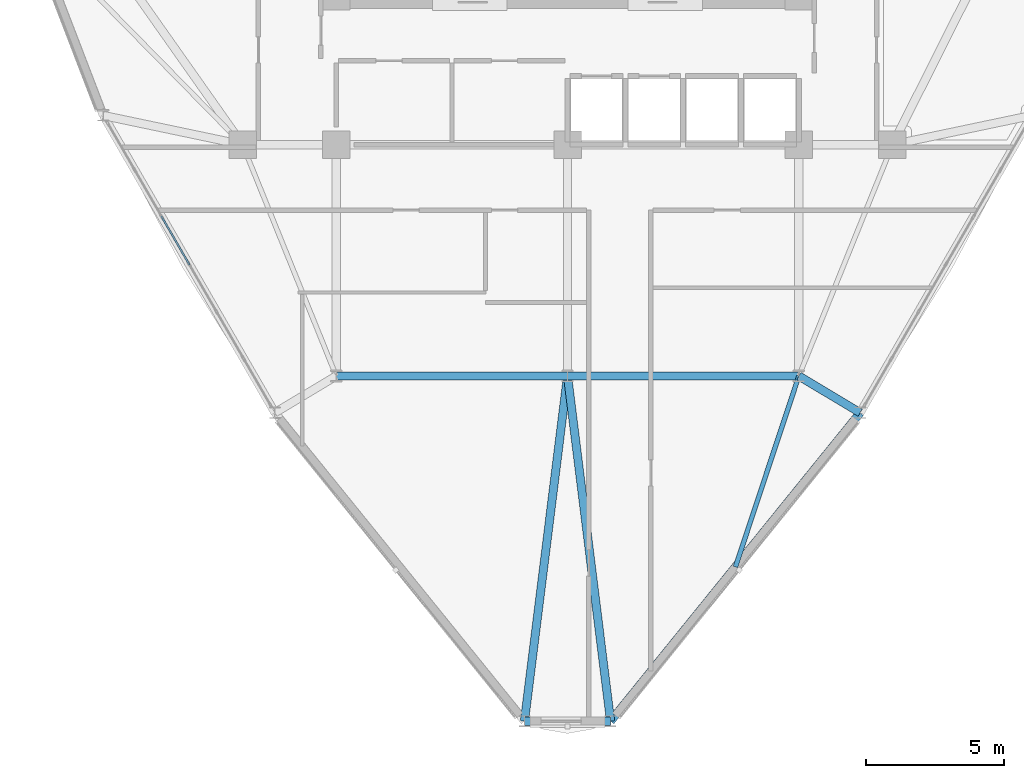
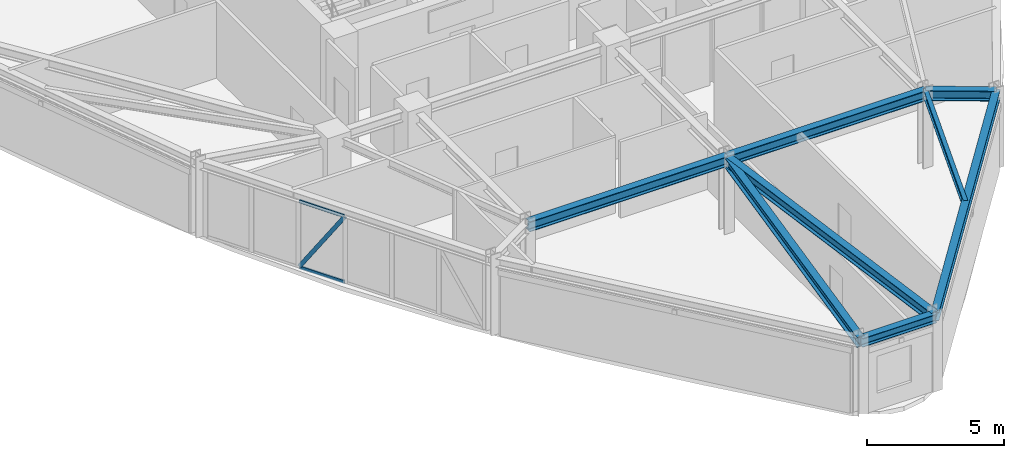
# One storey, part 3 of 14: 8 beams, 3 members, 1 element without a shape of its own.
"""IFC4 building model written with IfcOpenShell, lengths in metres."""

from ifc_helpers import new_model, si_unit, derived_unit, direction, frame, origin, origin_2d, place, context, subcontext, project, spatial, hollow_rectangle, i_section, extrude, source, transform, mapped, material, layer, layer_set, material_profile, profile_set, type_object, element, aggregate, save


model = new_model("IFC4")

# Units and contexts
model_context = context("Model", 3, precision=1e-05, world=origin(), true_north=direction((0.0, 1.0)))
body_context = subcontext(model_context, "Body", "Model", "MODEL_VIEW")
ifc_project = project(units=[si_unit("LENGTHUNIT", "METRE"), si_unit("AREAUNIT", "SQUARE_METRE"), si_unit("VOLUMEUNIT", "CUBIC_METRE"), si_unit("PLANEANGLEUNIT", "RADIAN"), si_unit("MASSUNIT", "GRAM", prefix="KILO"), derived_unit("THERMALTRANSMITTANCEUNIT", [(si_unit("POWERUNIT", "WATT"), 1), (si_unit("LENGTHUNIT", "METRE"), -2), (si_unit("THERMODYNAMICTEMPERATUREUNIT", "KELVIN"), -1)])], contexts=[model_context])

# Site, building, storey
site_placement = place(None, origin())
site = spatial("IfcSite", under=ifc_project, at=site_placement, CompositionType="ELEMENT")
building_placement = place(site_placement, origin())
building = spatial("IfcBuilding", under=site, at=building_placement, Name="Korsvarv Bourse and Concert Hall", CompositionType="ELEMENT")
storey_placement = place(building_placement, frame((0.0, 0.0, 193.800048828125)))
storey = spatial("IfcBuildingStorey", under=building, at=storey_placement, Name="L50", CompositionType="ELEMENT", Elevation=193.800048828125)

# Beams
ifc_material_1 = material(Name="Steel S355", Category="steel")
ifc_material_profile_1 = material_profile(ifc_material_1, i_section(OverallWidth=0.300048828125, OverallDepth=0.449951171875, WebThickness=0.013916015625, FlangeThickness=0.02587890625, FilletRadius=0.02099609375, at=origin_2d()), Name="HEB 450")
ifc_profile_set_1 = profile_set([ifc_material_profile_1], Name="Steel S355")
beam_type_1 = type_object("IfcBeamType", Name="BM-HEB450", PredefinedType="SPANDREL", material=ifc_profile_set_1)
shared_shape_1 = source(origin(), body_context, "Body", "SweptSolid", [
    extrude(i_section(OverallWidth=0.300048828125, OverallDepth=0.449951171875, WebThickness=0.013916015625, FlangeThickness=0.02587890625, FilletRadius=0.02099609375, at=origin_2d()), origin(), (0.0, 0.0, 1.0), 8.39990234375),
])
for number, where, z_axis, x_axis, name in (
    (1, (27.60009765625, 24.0, 3.175048828125), (1.0, 0.0, 0.0), (0.0, 1.0, 0.0), "L50 beam B-08"),
    (2, (36.0, 24.0, 3.175048828125), (1.0, 0.0, 0.0), (0.0, 1.0, 0.0), "L50 beam B-08"),
):
    element("IfcBeam", number, at=place(storey_placement, frame(where, z_axis=z_axis, x_axis=x_axis)), inside=storey, type_object=beam_type_1, Name=name, PredefinedType="SPANDREL", context=body_context, shape_type="MappedRepresentation", body=[
        mapped(shared_shape_1, transform((0.0, 0.0, 0.0), scale=1.0)),
    ])
ifc_material_profile_2 = material_profile(ifc_material_1, i_section(OverallWidth=0.300048828125, OverallDepth=0.389892578125, WebThickness=0.010986328125, FlangeThickness=0.01904296875, FilletRadius=0.02099609375, at=origin_2d()), Name="HEA 400")
ifc_profile_set_2 = profile_set([ifc_material_profile_2], Name="Steel S355")
beam_type_2 = type_object("IfcBeamType", Name="BM-HEA400", PredefinedType="BEAM", material=ifc_profile_set_2)
shared_shape_2 = source(origin(), body_context, "Body", "SweptSolid", [
    extrude(i_section(OverallWidth=0.300048828125, OverallDepth=0.389892578125, WebThickness=0.010986328125, FlangeThickness=0.01904296875, FilletRadius=0.02099609375, at=origin_2d()), origin(), (0.0, 0.0, 1.0), 3.12939453125),
])
beam_1_placement = place(storey_placement, frame((34.435302734375, 11.465087890625, 3.204833984375), z_axis=(1.0, 0.0, 0.0), x_axis=(0.0, 1.0, 0.0)))
element("IfcBeam", 3, at=beam_1_placement, inside=storey, type_object=beam_type_2, Name="L50 beam B-11", PredefinedType="BEAM", context=body_context, shape_type="MappedRepresentation", body=[
    mapped(shared_shape_2, transform((0.0, 0.0, 0.0), scale=1.0)),
])
shared_shape_3 = source(origin(), body_context, "Body", "SweptSolid", [
    extrude(i_section(OverallWidth=0.300048828125, OverallDepth=0.389892578125, WebThickness=0.010986328125, FlangeThickness=0.01904296875, FilletRadius=0.02099609375, at=origin_2d()), origin(), (0.0, 0.0, 1.0), 14.408935546875),
])
beam_2_placement = place(storey_placement, frame((37.564697265625, 11.465087890625, 3.204833984375), z_axis=(0.629063691989, 0.777353762081, 0.0), x_axis=(-0.777353762081, 0.629063691989, 0.0)))
element("IfcBeam", 4, at=beam_2_placement, inside=storey, type_object=beam_type_2, Name="L50 beam B-11", PredefinedType="BEAM", context=body_context, shape_type="MappedRepresentation", body=[
    mapped(shared_shape_3, transform((0.0, 0.0, 0.0), scale=1.0)),
])
shared_shape_4 = source(origin(), body_context, "Body", "SweptSolid", [
    extrude(i_section(OverallWidth=0.300048828125, OverallDepth=0.449951171875, WebThickness=0.013916015625, FlangeThickness=0.02587890625, FilletRadius=0.02099609375, at=origin_2d()), origin(), (0.0, 0.0, 1.0), 2.59765625),
])
beam_3_placement = place(storey_placement, frame((46.62890625, 22.666015625, 3.175048828125), z_axis=(-0.858072868624, 0.513527946787, 0.0), x_axis=(-0.513527946787, -0.858072868624, 0.0)))
element("IfcBeam", 5, at=beam_3_placement, inside=storey, type_object=beam_type_1, Name="L50 beam B-08", PredefinedType="SPANDREL", context=body_context, shape_type="MappedRepresentation", body=[
    mapped(shared_shape_4, transform((0.0, 0.0, 0.0), scale=1.0)),
])
shared_shape_5 = source(origin(), body_context, "Body", "SweptSolid", [
    extrude(i_section(OverallWidth=0.300048828125, OverallDepth=0.449951171875, WebThickness=0.013916015625, FlangeThickness=0.02587890625, FilletRadius=0.02099609375, at=origin_2d()), origin(), (0.0, 0.0, 1.0), 12.632080078125),
])
for number, where, z_axis, x_axis, name in (
    (6, (34.435302734375, 11.465087890625, 3.175048828125), (0.12386584577, 0.992298973219, 0.0), (-0.992298973219, 0.12386584577, 0.0), "L50 beam B-08"),
    (7, (37.564697265625, 11.465087890625, 3.175048828125), (-0.12386584577, 0.992298973219, 0.0), (-0.992298973219, -0.12386584577, 0.0), "L50 beam B-08"),
):
    element("IfcBeam", number, at=place(storey_placement, frame(where, z_axis=z_axis, x_axis=x_axis)), inside=storey, type_object=beam_type_1, Name=name, PredefinedType="SPANDREL", context=body_context, shape_type="MappedRepresentation", body=[
        mapped(shared_shape_5, transform((0.0, 0.0, 0.0), scale=1.0)),
    ])
ifc_material_profile_3 = material_profile(ifc_material_1, i_section(OverallWidth=0.169921875, OverallDepth=0.360107421875, WebThickness=0.008056640625, FlangeThickness=0.0126953125, FilletRadius=0.01806640625, at=origin_2d()), Name="IPE 360")
ifc_profile_set_3 = profile_set([ifc_material_profile_3], Name="Steel S355")
beam_type_3 = type_object("IfcBeamType", Name="BM-IPE360", PredefinedType="JOIST", material=ifc_profile_set_3)
shared_shape_6 = source(origin(), body_context, "Body", "SweptSolid", [
    extrude(i_section(OverallWidth=0.169921875, OverallDepth=0.360107421875, WebThickness=0.008056640625, FlangeThickness=0.0126953125, FilletRadius=0.01806640625, at=origin_2d()), origin(), (0.0, 0.0, 1.0), 7.306884765625),
])
beam_4_placement = place(storey_placement, frame((42.0966796875, 17.065673828125, 3.219970703125), z_axis=(0.315215181878, 0.949020225872, 0.0), x_axis=(-0.949020225872, 0.315215181878, 0.0)))
element("IfcBeam", 8, at=beam_4_placement, inside=storey, type_object=beam_type_3, Name="L50 beam J-06", PredefinedType="JOIST", context=body_context, shape_type="MappedRepresentation", body=[
    mapped(shared_shape_6, transform((0.0, 0.0, 0.0), scale=1.0)),
])

# Curtain wall, members
ifc_material_2 = material(Name="Anodised aluminium and triple low-E glazing", Category="glass")
ifc_layer = layer(ifc_material_2, 0.199951171875)
ifc_layer_set = layer_set([ifc_layer], Name="Anodised aluminium and triple low-E glazing")
curtain_wall_type = type_object("IfcCurtainWallType", Name="CW-SYS-3", PredefinedType="NOTDEFINED", material=ifc_layer_set)
curtain_wall_placement = place(storey_placement, origin())
curtain_wall = element("IfcCurtainWall", 9, at=curtain_wall_placement, inside=storey, type_object=curtain_wall_type, Name="L50 CW3 curtain wall CW-L50-F07", PredefinedType="NOTDEFINED")
ifc_material_3 = material(Name="Extruded aluminium EN AW-6063 T66", Category="aluminium")
ifc_material_profile_4 = material_profile(ifc_material_3, hollow_rectangle(XDim=0.06494140625, YDim=0.139892578125, WallThickness=0.00390625, at=origin_2d()), Name="ALU-T 65x140")
ifc_profile_set_4 = profile_set([ifc_material_profile_4], Name="Extruded aluminium EN AW-6063 T66")
member_type_1 = type_object("IfcMemberType", Name="CWT-140", PredefinedType="USERDEFINED", material=ifc_profile_set_4)
shared_shape_7 = source(origin(), body_context, "Body", "SweptSolid", [
    extrude(hollow_rectangle(XDim=0.06494140625, YDim=0.139892578125, WallThickness=0.00390625, at=origin_2d()), origin(), (0.0, 0.0, 1.0), 1.908203125),
])
member_1_placement = place(storey_placement, frame((21.282958984375, 29.7470703125, 0.032470703125), z_axis=(0.499991942392, -0.866030055796, 0.0), x_axis=(0.866030055796, 0.499991942392, 0.0)))
member_1 = element("IfcMember", 10, at=member_1_placement, type_object=member_type_1, Name="CW3 transom 3.1", ObjectType="TRANSOM", PredefinedType="USERDEFINED", context=body_context, shape_type="MappedRepresentation", body=[
    mapped(shared_shape_7, transform((0.0, 0.0, 0.0), scale=1.0)),
])
member_2_placement = place(storey_placement, frame((21.282958984375, 29.7470703125, 2.9775390625), z_axis=(0.499991942392, -0.866030055796, 0.0), x_axis=(0.866030055796, 0.499991942392, 0.0)))
member_2 = element("IfcMember", 11, at=member_2_placement, type_object=member_type_1, Name="CW3 transom 3.2", ObjectType="TRANSOM", PredefinedType="USERDEFINED", context=body_context, shape_type="MappedRepresentation", body=[
    mapped(shared_shape_7, transform((0.0, 0.0, 0.0), scale=1.0)),
])
ifc_material_profile_5 = material_profile(ifc_material_3, hollow_rectangle(XDim=0.06494140625, YDim=0.1650390625, WallThickness=0.0048828125, at=origin_2d()), Name="ALU-M 65x165")
ifc_profile_set_5 = profile_set([ifc_material_profile_5], Name="Extruded aluminium EN AW-6063 T66")
member_type_2 = type_object("IfcMemberType", Name="CWM-165", PredefinedType="MULLION", material=ifc_profile_set_5)
shared_shape_8 = source(origin(), body_context, "Body", "SweptSolid", [
    extrude(hollow_rectangle(XDim=0.06494140625, YDim=0.1650390625, WallThickness=0.0048828125, at=origin_2d()), origin(), (0.0, 0.0, 1.0), 3.454833984375),
])
member_3_placement = place(storey_placement, frame((21.282958984375, 29.7470703125, 0.06494140625), z_axis=(0.276157172824, -0.478328531946, 0.833630032703), x_axis=(0.866030055796, 0.499991942392, 0.0)))
member_3 = element("IfcMember", 12, at=member_3_placement, type_object=member_type_2, Name="CW3 diagonal mullion 3", PredefinedType="MULLION", context=body_context, shape_type="MappedRepresentation", body=[
    mapped(shared_shape_8, transform((0.0, 0.0, 0.0), scale=1.0)),
])
aggregate(curtain_wall, [member_1, member_2, member_3])

save(model, "model.ifc")
